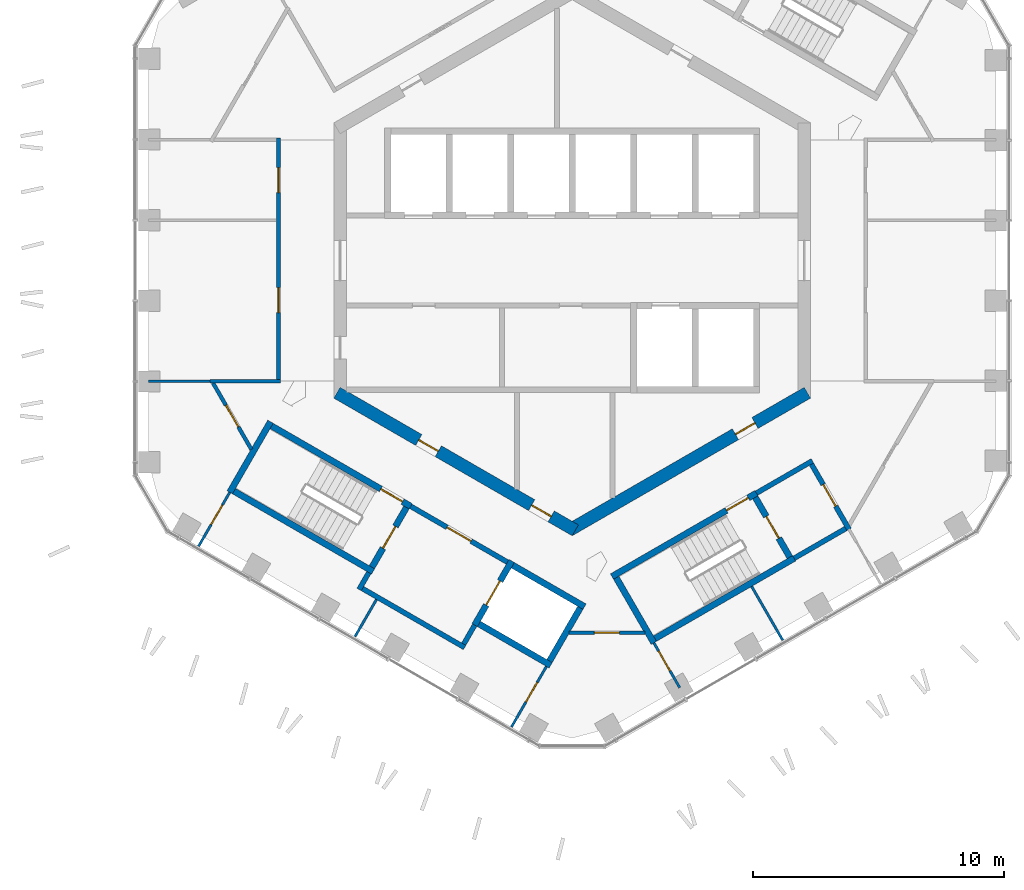
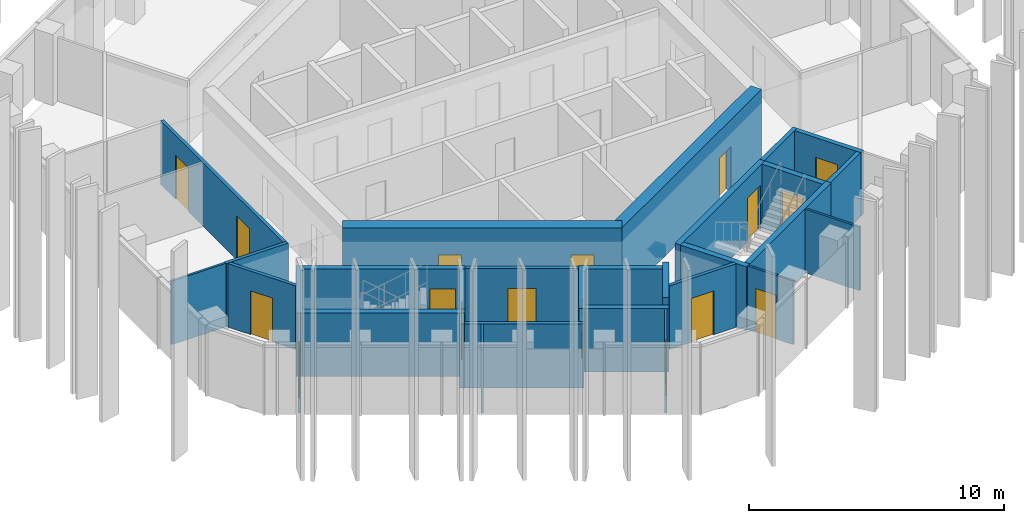
# One storey, part 12 of 18: 31 walls, 17 doors, 17 openings.
"""IFC4 building model written with IfcOpenShell, lengths in metres."""

from ifc_helpers import new_model, si_unit, direction, frame, frame_2d, origin, place, context, subcontext, project, spatial, rectangle, extrude, material, layer, layer_set, type_object, element, fill, save


model = new_model("IFC4")

# Units and contexts
model_context = context("Model", 3, precision=1e-05, world=origin(), true_north=direction((0.0, 1.0)))
body_context = subcontext(model_context, "Body", "Model", "MODEL_VIEW")
ifc_project = project(units=[si_unit("LENGTHUNIT", "METRE"), si_unit("AREAUNIT", "SQUARE_METRE"), si_unit("VOLUMEUNIT", "CUBIC_METRE"), si_unit("PLANEANGLEUNIT", "RADIAN"), si_unit("MASSUNIT", "GRAM", prefix="KILO")], contexts=[model_context])

# Site, building, storey
site_placement = place(None, origin())
site = spatial("IfcSite", under=ifc_project, at=site_placement, CompositionType="ELEMENT")
building_placement = place(site_placement, origin())
building = spatial("IfcBuilding", under=site, at=building_placement, Name="Ayvan Gate Tower", CompositionType="ELEMENT")
storey_placement = place(building_placement, frame((0.0, 0.0, 218.89990234375)))
storey = spatial("IfcBuildingStorey", under=building, at=storey_placement, Name="L58", CompositionType="ELEMENT", Elevation=218.89990234375)

# Wall, openings, doors
ifc_material_1 = material(Name="Concrete C60/75", Category="concrete")
ifc_layer_1 = layer(ifc_material_1, 0.5)
ifc_layer_set_1 = layer_set([ifc_layer_1], Name="Concrete C60/75")
wall_type_1 = type_object("IfcWallType", Name="Core wall 500 C60/75", PredefinedType="SHEAR", material=ifc_layer_set_1)
wall_1_placement = place(storey_placement, frame((-9.375, -5.268310546875, 0.0), z_axis=(0.0, 0.0, 1.0), x_axis=(0.866023993627, -0.500002442456, 0.0)))
wall_1 = element("IfcWall", 1, at=wall_1_placement, inside=storey, type_object=wall_type_1, Name="CORE-L58-4", PredefinedType="SHEAR", context=body_context, shape_type="SweptSolid", body=[
    extrude(rectangle(XDim=10.9697265625, YDim=0.5, at=frame_2d((5.48486328125, 0.0))), origin(), (0.0, 0.0, 1.0), 3.400146484375),
])
opening_1_placement = place(wall_1_placement, frame((3.76513671875, 0.0, 0.0)))
opening_1 = element("IfcOpeningElement", 2, at=opening_1_placement, cuts=wall_1, Name="Opening L58-D40", PredefinedType="OPENING", context=body_context, shape_type="SweptSolid", body=[
    extrude(rectangle(XDim=0.89990234375, YDim=2.10009765625, at=frame_2d((0.449951171875, 1.050048828125))), frame((0.0, 0.260009765625, 0.0), z_axis=(0.0, -1.0, 0.0), x_axis=(1.0, 0.0, 0.0)), (0.0, 0.0, 1.0), 0.52001953125),
])
opening_2_placement = place(wall_1_placement, frame((8.960205078125, 0.0, 0.0)))
opening_2 = element("IfcOpeningElement", 3, at=opening_2_placement, cuts=wall_1, Name="Opening L58-D41", PredefinedType="OPENING", context=body_context, shape_type="SweptSolid", body=[
    extrude(rectangle(XDim=0.89990234375, YDim=2.10009765625, at=frame_2d((0.449951171875, 1.050048828125))), frame((0.0, 0.260009765625, 0.0), z_axis=(0.0, -1.0, 0.0), x_axis=(1.0, 0.0, 0.0)), (0.0, 0.0, 1.0), 0.52001953125),
])
ifc_material_2 = material(Name="Timber door leaf", Category="wood")
door_type_1 = type_object("IfcDoorType", Name="DT-900", OperationType="NOTDEFINED", PredefinedType="DOOR", material=ifc_material_2)
door_1_placement = place(opening_1_placement, origin())
door_1 = element("IfcDoor", 4, at=door_1_placement, inside=storey, type_object=door_type_1, Name="CD-L58-40", OperationType="SINGLE_SWING_RIGHT", OverallHeight=2.10009765625, OverallWidth=0.89990234375, PredefinedType="DOOR", context=body_context, shape_type="SweptSolid", body=[
    extrude(rectangle(XDim=0.89990234375, YDim=2.10009765625, at=frame_2d((0.449951171875, 1.050048828125))), frame((0.0, 0.02490234375, 0.0), z_axis=(0.0, -1.0, 0.0), x_axis=(1.0, 0.0, 0.0)), (0.0, 0.0, 1.0), 0.050048828125),
])
fill(opening_1, door_1)
door_2_placement = place(opening_2_placement, origin())
door_2 = element("IfcDoor", 5, at=door_2_placement, inside=storey, type_object=door_type_1, Name="CD-L58-41", OperationType="SINGLE_SWING_LEFT", OverallHeight=2.10009765625, OverallWidth=0.89990234375, PredefinedType="DOOR", context=body_context, shape_type="SweptSolid", body=[
    extrude(rectangle(XDim=0.89990234375, YDim=2.10009765625, at=frame_2d((0.449951171875, 1.050048828125))), frame((0.0, 0.02490234375, 0.0), z_axis=(0.0, -1.0, 0.0), x_axis=(1.0, 0.0, 0.0)), (0.0, 0.0, 1.0), 0.050048828125),
])
fill(opening_2, door_2)

# Wall, opening, door
wall_2_placement = place(storey_placement, frame((-0.125, -10.753173828125, 0.0), z_axis=(0.0, 0.0, 1.0), x_axis=(0.866023993627, 0.500002442456, 0.0)))
wall_2 = element("IfcWall", 6, at=wall_2_placement, inside=storey, type_object=wall_type_1, Name="CORE-L58-5", PredefinedType="SHEAR", context=body_context, shape_type="SweptSolid", body=[
    extrude(rectangle(XDim=10.9697265625, YDim=0.5, at=frame_2d((5.48486328125, 0.0))), origin(), (0.0, 0.0, 1.0), 3.400146484375),
])
opening_3_placement = place(wall_2_placement, frame((7.6572265625, 0.0, 0.0)))
opening_3 = element("IfcOpeningElement", 7, at=opening_3_placement, cuts=wall_2, Name="Opening L58-D42", PredefinedType="OPENING", context=body_context, shape_type="SweptSolid", body=[
    extrude(rectangle(XDim=0.89990234375, YDim=2.10009765625, at=frame_2d((0.449951171875, 1.050048828125))), frame((0.0, 0.260009765625, 0.0), z_axis=(0.0, -1.0, 0.0), x_axis=(1.0, 0.0, 0.0)), (0.0, 0.0, 1.0), 0.52001953125),
])
door_3_placement = place(opening_3_placement, origin())
door_3 = element("IfcDoor", 8, at=door_3_placement, inside=storey, type_object=door_type_1, Name="CD-L58-42", OperationType="SINGLE_SWING_RIGHT", OverallHeight=2.10009765625, OverallWidth=0.89990234375, PredefinedType="DOOR", context=body_context, shape_type="SweptSolid", body=[
    extrude(rectangle(XDim=0.89990234375, YDim=2.10009765625, at=frame_2d((0.449951171875, 1.050048828125))), frame((0.0, 0.02490234375, 0.0), z_axis=(0.0, -1.0, 0.0), x_axis=(1.0, 0.0, 0.0)), (0.0, 0.0, 1.0), 0.050048828125),
])
fill(opening_3, door_3)

# Wall
ifc_material_3 = material(Name="Plasterboard on steel stud", Category="steel")
ifc_layer_2 = layer(ifc_material_3, 0.14990234375)
ifc_layer_set_2 = layer_set([ifc_layer_2], Name="Plasterboard on steel stud")
wall_type_2 = type_object("IfcWallType", Name="WT-CORR-150", PredefinedType="PARTITIONING", material=ifc_layer_set_2)
wall_3_placement = place(storey_placement, frame((-14.428466796875, -4.810791015625, 0.0), z_axis=(0.0, 0.0, 1.0), x_axis=(1.0, 0.0, 0.0)))
element("IfcWall", 9, at=wall_3_placement, inside=storey, type_object=wall_type_2, Name="IW-L58-002", PredefinedType="PARTITIONING", context=body_context, shape_type="SweptSolid", body=[
    extrude(rectangle(XDim=2.803466796875, YDim=0.14990234375, at=frame_2d((1.40185546875, 0.0))), origin(), (0.0, 0.0, 1.0), 3.050048828125),
])

# Wall, opening, door
wall_4_placement = place(storey_placement, frame((-12.784912109375, -7.527587890625, 0.0), z_axis=(0.0, 0.0, 1.0), x_axis=(-0.499989318644, 0.86603157058, 0.0)))
wall_4 = element("IfcWall", 10, at=wall_4_placement, inside=storey, type_object=wall_type_2, Name="IW-L58-006", PredefinedType="PARTITIONING", context=body_context, shape_type="SweptSolid", body=[
    extrude(rectangle(XDim=3.06201171875, YDim=0.14990234375, at=frame_2d((1.531005859375, 0.0))), origin(), (0.0, 0.0, 1.0), 3.050048828125),
])
opening_4_placement = place(wall_4_placement, frame((1.031005859375, 0.0, 0.0)))
opening_4 = element("IfcOpeningElement", 11, at=opening_4_placement, cuts=wall_4, Name="Opening L58-D30", PredefinedType="OPENING", context=body_context, shape_type="SweptSolid", body=[
    extrude(rectangle(XDim=1.0, YDim=2.10009765625, at=frame_2d((0.5, 1.050048828125))), frame((0.0, 0.0849609375, 0.0), z_axis=(0.0, -1.0, 0.0), x_axis=(1.0, 0.0, 0.0)), (0.0, 0.0, 1.0), 0.169921875),
])
door_type_2 = type_object("IfcDoorType", Name="DT-1000", OperationType="NOTDEFINED", PredefinedType="DOOR", material=ifc_material_2)
door_4_placement = place(opening_4_placement, origin())
door_4 = element("IfcDoor", 12, at=door_4_placement, inside=storey, type_object=door_type_2, Name="ID-L58-030", OperationType="SINGLE_SWING_RIGHT", OverallHeight=2.10009765625, OverallWidth=1.0, PredefinedType="DOOR", context=body_context, shape_type="SweptSolid", body=[
    extrude(rectangle(XDim=1.0, YDim=2.10009765625, at=frame_2d((0.5, 1.050048828125))), frame((0.0, 0.02490234375, 0.0), z_axis=(0.0, -1.0, 0.0), x_axis=(1.0, 0.0, 0.0)), (0.0, 0.0, 1.0), 0.050048828125),
])
fill(opening_4, door_4)

# Wall, openings, doors
wall_5_placement = place(storey_placement, frame((-11.699951171875, -4.73583984375, 0.0), z_axis=(0.0, 0.0, 1.0), x_axis=(0.0, 1.0, 0.0)))
wall_5 = element("IfcWall", 13, at=wall_5_placement, inside=storey, type_object=wall_type_2, Name="IW-L58-009", PredefinedType="PARTITIONING", context=body_context, shape_type="SweptSolid", body=[
    extrude(rectangle(XDim=9.62158203125, YDim=0.14990234375, at=frame_2d((4.810791015625, 0.0))), origin(), (0.0, 0.0, 1.0), 3.050048828125),
])
opening_5_placement = place(wall_5_placement, frame((7.44287109375, 0.0, 0.0)))
opening_5 = element("IfcOpeningElement", 14, at=opening_5_placement, cuts=wall_5, Name="Opening L58-D28", PredefinedType="OPENING", context=body_context, shape_type="SweptSolid", body=[
    extrude(rectangle(XDim=1.0, YDim=2.10009765625, at=frame_2d((0.5, 1.050048828125))), frame((0.0, 0.0849609375, 0.0), z_axis=(0.0, -1.0, 0.0), x_axis=(1.0, 0.0, 0.0)), (0.0, 0.0, 1.0), 0.169921875),
])
opening_6_placement = place(wall_5_placement, frame((2.65478515625, 0.0, 0.0)))
opening_6 = element("IfcOpeningElement", 15, at=opening_6_placement, cuts=wall_5, Name="Opening L58-D29", PredefinedType="OPENING", context=body_context, shape_type="SweptSolid", body=[
    extrude(rectangle(XDim=1.0, YDim=2.10009765625, at=frame_2d((0.5, 1.050048828125))), frame((0.0, 0.0849609375, 0.0), z_axis=(0.0, -1.0, 0.0), x_axis=(1.0, 0.0, 0.0)), (0.0, 0.0, 1.0), 0.169921875),
])
door_5_placement = place(opening_5_placement, origin())
door_5 = element("IfcDoor", 16, at=door_5_placement, inside=storey, type_object=door_type_2, Name="ID-L58-028", OperationType="SINGLE_SWING_RIGHT", OverallHeight=2.10009765625, OverallWidth=1.0, PredefinedType="DOOR", context=body_context, shape_type="SweptSolid", body=[
    extrude(rectangle(XDim=1.0, YDim=2.10009765625, at=frame_2d((0.5, 1.050048828125))), frame((0.0, 0.02490234375, 0.0), z_axis=(0.0, -1.0, 0.0), x_axis=(1.0, 0.0, 0.0)), (0.0, 0.0, 1.0), 0.050048828125),
])
fill(opening_5, door_5)
door_6_placement = place(opening_6_placement, origin())
door_6 = element("IfcDoor", 17, at=door_6_placement, inside=storey, type_object=door_type_2, Name="ID-L58-029", OperationType="SINGLE_SWING_LEFT", OverallHeight=2.10009765625, OverallWidth=1.0, PredefinedType="DOOR", context=body_context, shape_type="SweptSolid", body=[
    extrude(rectangle(XDim=1.0, YDim=2.10009765625, at=frame_2d((0.5, 1.050048828125))), frame((0.0, 0.02490234375, 0.0), z_axis=(0.0, -1.0, 0.0), x_axis=(1.0, 0.0, 0.0)), (0.0, 0.0, 1.0), 0.050048828125),
])
fill(opening_6, door_6)

# Wall, opening, door
wall_6_placement = place(storey_placement, frame((2.89794921875, -14.8359375, 0.0), z_axis=(0.0, 0.0, 1.0), x_axis=(-1.0, 0.0, 0.0)))
wall_6 = element("IfcWall", 18, at=wall_6_placement, inside=storey, type_object=wall_type_2, Name="IW-L58-051", PredefinedType="PARTITIONING", context=body_context, shape_type="SweptSolid", body=[
    extrude(rectangle(XDim=3.024658203125, YDim=0.14990234375, at=frame_2d((1.51220703125, 0.0))), origin(), (0.0, 0.0, 1.0), 3.050048828125),
])
opening_7_placement = place(wall_6_placement, frame((1.01220703125, 0.0, 0.0)))
opening_7 = element("IfcOpeningElement", 19, at=opening_7_placement, cuts=wall_6, Name="Opening L58-D32", PredefinedType="OPENING", context=body_context, shape_type="SweptSolid", body=[
    extrude(rectangle(XDim=1.0, YDim=2.10009765625, at=frame_2d((0.5, 1.050048828125))), frame((0.0, 0.0849609375, 0.0), z_axis=(0.0, -1.0, 0.0), x_axis=(1.0, 0.0, 0.0)), (0.0, 0.0, 1.0), 0.169921875),
])
door_7_placement = place(opening_7_placement, origin())
door_7 = element("IfcDoor", 20, at=door_7_placement, inside=storey, type_object=door_type_2, Name="ID-L58-032", OperationType="SINGLE_SWING_RIGHT", OverallHeight=2.10009765625, OverallWidth=1.0, PredefinedType="DOOR", context=body_context, shape_type="SweptSolid", body=[
    extrude(rectangle(XDim=1.0, YDim=2.10009765625, at=frame_2d((0.5, 1.050048828125))), frame((0.0, 0.02490234375, 0.0), z_axis=(0.0, -1.0, 0.0), x_axis=(1.0, 0.0, 0.0)), (0.0, 0.0, 1.0), 0.050048828125),
])
fill(opening_7, door_7)

# Wall
ifc_layer_3 = layer(ifc_material_3, 0.10009765625)
ifc_layer_set_3 = layer_set([ifc_layer_3], Name="Plasterboard on steel stud")
wall_type_3 = type_object("IfcWallType", Name="WT-PART-100", PredefinedType="PARTITIONING", material=ifc_layer_set_3)
wall_7_placement = place(storey_placement, frame((-14.428466796875, -4.810791015625, 0.0), z_axis=(0.0, 0.0, 1.0), x_axis=(-1.0, 0.0, 0.0)))
element("IfcWall", 21, at=wall_7_placement, inside=storey, type_object=wall_type_3, Name="IW-L58-003", PredefinedType="PARTITIONING", context=body_context, shape_type="SweptSolid", body=[
    extrude(rectangle(XDim=2.458984375, YDim=0.10009765625, at=frame_2d((1.2294921875, 0.0))), origin(), (0.0, 0.0, 1.0), 3.050048828125),
])

# Wall, opening, door
wall_8_placement = place(storey_placement, frame((-13.647705078125, -9.23876953125, 0.0), z_axis=(0.0, 0.0, 1.0), x_axis=(-0.500040114371, -0.866002242503, 0.0)))
wall_8 = element("IfcWall", 22, at=wall_8_placement, inside=storey, type_object=wall_type_3, Name="IW-L58-005", PredefinedType="PARTITIONING", context=body_context, shape_type="SweptSolid", body=[
    extrude(rectangle(XDim=2.483642578125, YDim=0.10009765625, at=frame_2d((1.24169921875, 0.0))), origin(), (0.0, 0.0, 1.0), 3.050048828125),
])
opening_8_placement = place(wall_8_placement, frame((0.581298828125, 0.0, 0.0)))
opening_8 = element("IfcOpeningElement", 23, at=opening_8_placement, cuts=wall_8, Name="Opening L58-D31", PredefinedType="OPENING", context=body_context, shape_type="SweptSolid", body=[
    extrude(rectangle(XDim=0.89990234375, YDim=2.10009765625, at=frame_2d((0.449951171875, 1.050048828125))), frame((0.0, 0.06005859375, 0.0), z_axis=(0.0, -1.0, 0.0), x_axis=(1.0, 0.0, 0.0)), (0.0, 0.0, 1.0), 0.1201171875),
])
door_8_placement = place(opening_8_placement, origin())
door_8 = element("IfcDoor", 24, at=door_8_placement, inside=storey, type_object=door_type_1, Name="ID-L58-031", OperationType="SINGLE_SWING_LEFT", OverallHeight=2.10009765625, OverallWidth=0.89990234375, PredefinedType="DOOR", context=body_context, shape_type="SweptSolid", body=[
    extrude(rectangle(XDim=0.89990234375, YDim=2.10009765625, at=frame_2d((0.449951171875, 1.050048828125))), frame((0.0, 0.02490234375, 0.0), z_axis=(0.0, -1.0, 0.0), x_axis=(1.0, 0.0, 0.0)), (0.0, 0.0, 1.0), 0.050048828125),
])
fill(opening_8, door_8)

# Wall
wall_9_placement = place(storey_placement, frame((-7.800048828125, -13.510009765625, 0.0), z_axis=(0.0, 0.0, 1.0), x_axis=(-0.500027584368, -0.866009477356, 0.0)))
element("IfcWall", 25, at=wall_9_placement, inside=storey, type_object=wall_type_3, Name="IW-L58-018", PredefinedType="PARTITIONING", context=body_context, shape_type="SweptSolid", body=[
    extrude(rectangle(XDim=1.70849609375, YDim=0.10009765625, at=frame_2d((0.854248046875, 0.0))), origin(), (0.0, 0.0, 1.0), 3.050048828125),
])

# Wall, opening, door
wall_10_placement = place(storey_placement, frame((-2.4189453125, -18.589599609375, 0.0), z_axis=(0.0, 0.0, 1.0), x_axis=(0.500016013541, 0.866016158165, 0.0)))
wall_10 = element("IfcWall", 26, at=wall_10_placement, inside=storey, type_object=wall_type_3, Name="IW-L58-034", PredefinedType="PARTITIONING", context=body_context, shape_type="SweptSolid", body=[
    extrude(rectangle(XDim=2.78369140625, YDim=0.10009765625, at=frame_2d((1.391845703125, 0.0))), origin(), (0.0, 0.0, 1.0), 3.050048828125),
])
opening_9_placement = place(wall_10_placement, frame((1.15234375, 0.0, 0.0)))
opening_9 = element("IfcOpeningElement", 27, at=opening_9_placement, cuts=wall_10, Name="Opening L58-D33", PredefinedType="OPENING", context=body_context, shape_type="SweptSolid", body=[
    extrude(rectangle(XDim=0.89990234375, YDim=2.10009765625, at=frame_2d((0.449951171875, 1.050048828125))), frame((0.0, 0.06005859375, 0.0), z_axis=(0.0, -1.0, 0.0), x_axis=(1.0, 0.0, 0.0)), (0.0, 0.0, 1.0), 0.1201171875),
])
door_9_placement = place(opening_9_placement, origin())
door_9 = element("IfcDoor", 28, at=door_9_placement, inside=storey, type_object=door_type_1, Name="ID-L58-033", OperationType="SINGLE_SWING_LEFT", OverallHeight=2.10009765625, OverallWidth=0.89990234375, PredefinedType="DOOR", context=body_context, shape_type="SweptSolid", body=[
    extrude(rectangle(XDim=0.89990234375, YDim=2.10009765625, at=frame_2d((0.449951171875, 1.050048828125))), frame((0.0, 0.02490234375, 0.0), z_axis=(0.0, -1.0, 0.0), x_axis=(1.0, 0.0, 0.0)), (0.0, 0.0, 1.0), 0.050048828125),
])
fill(opening_9, door_9)

wall_11_placement = place(storey_placement, frame((3.255615234375, -15.23876953125, 0.0), z_axis=(0.0, 0.0, 1.0), x_axis=(0.500009360108, -0.866019999656, 0.0)))
wall_11 = element("IfcWall", 29, at=wall_11_placement, inside=storey, type_object=wall_type_3, Name="IW-L58-053", PredefinedType="PARTITIONING", context=body_context, shape_type="SweptSolid", body=[
    extrude(rectangle(XDim=2.0625, YDim=0.10009765625, at=frame_2d((1.03125, 0.0))), origin(), (0.0, 0.0, 1.0), 3.050048828125),
])
opening_10_placement = place(wall_11_placement, frame((0.38134765625, 0.0, 0.0)))
opening_10 = element("IfcOpeningElement", 30, at=opening_10_placement, cuts=wall_11, Name="Opening L58-D34", PredefinedType="OPENING", context=body_context, shape_type="SweptSolid", body=[
    extrude(rectangle(XDim=0.89990234375, YDim=2.10009765625, at=frame_2d((0.449951171875, 1.050048828125))), frame((0.0, 0.06005859375, 0.0), z_axis=(0.0, -1.0, 0.0), x_axis=(1.0, 0.0, 0.0)), (0.0, 0.0, 1.0), 0.1201171875),
])
door_10_placement = place(opening_10_placement, origin())
door_10 = element("IfcDoor", 31, at=door_10_placement, inside=storey, type_object=door_type_1, Name="ID-L58-034", OperationType="SINGLE_SWING_RIGHT", OverallHeight=2.10009765625, OverallWidth=0.89990234375, PredefinedType="DOOR", context=body_context, shape_type="SweptSolid", body=[
    extrude(rectangle(XDim=0.89990234375, YDim=2.10009765625, at=frame_2d((0.449951171875, 1.050048828125))), frame((0.0, 0.02490234375, 0.0), z_axis=(0.0, -1.0, 0.0), x_axis=(1.0, 0.0, 0.0)), (0.0, 0.0, 1.0), 0.050048828125),
])
fill(opening_10, door_10)

# Walls
wall_12_placement = place(storey_placement, frame((7.152587890625, -12.98876953125, 0.0), z_axis=(0.0, 0.0, 1.0), x_axis=(0.499966389646, -0.866044807862, 0.0)))
element("IfcWall", 32, at=wall_12_placement, inside=storey, type_object=wall_type_3, Name="IW-L58-062", PredefinedType="PARTITIONING", context=body_context, shape_type="SweptSolid", body=[
    extrude(rectangle(XDim=2.483642578125, YDim=0.10009765625, at=frame_2d((1.24169921875, 0.0))), origin(), (0.0, 0.0, 1.0), 3.050048828125),
])
ifc_layer_4 = layer(ifc_material_3, 0.199951171875)
ifc_layer_set_4 = layer_set([ifc_layer_4], Name="Plasterboard on steel stud")
wall_type_4 = type_object("IfcWallType", Name="WT-RATED-200", PredefinedType="PARTITIONING", material=ifc_layer_set_4)
wall_13_placement = place(storey_placement, frame((-8.492919921875, -13.110107421875, 0.0), z_axis=(0.0, 0.0, 1.0), x_axis=(0.500067724834, 0.865986299303, 0.0)))
element("IfcWall", 33, at=wall_13_placement, inside=storey, type_object=wall_type_4, Name="IW-L58-016", PredefinedType="PARTITIONING", context=body_context, shape_type="SweptSolid", body=[
    extrude(rectangle(XDim=0.775390625, YDim=0.199951171875, at=frame_2d((0.3876953125, 0.0))), origin(), (0.0, 0.0, 1.0), 3.050048828125),
])
wall_14_placement = place(storey_placement, frame((-8.356201171875, -13.073486328125, 0.0), z_axis=(0.0, 0.0, 1.0), x_axis=(0.866038532462, -0.499977259774, 0.0)))
element("IfcWall", 34, at=wall_14_placement, inside=storey, type_object=wall_type_4, Name="IW-L58-019", PredefinedType="PARTITIONING", context=body_context, shape_type="SweptSolid", body=[
    extrude(rectangle(XDim=4.699951171875, YDim=0.199951171875, at=frame_2d((2.35009765625, 0.0))), origin(), (0.0, 0.0, 1.0), 3.050048828125),
])

# Wall, opening, door
wall_15_placement = place(storey_placement, frame((-6.4345703125, -9.794921875, 0.0), z_axis=(0.0, 0.0, 1.0), x_axis=(0.866012907634, -0.500021643343, 0.0)))
wall_15 = element("IfcWall", 35, at=wall_15_placement, inside=storey, type_object=wall_type_4, Name="IW-L58-024", PredefinedType="PARTITIONING", context=body_context, shape_type="SweptSolid", body=[
    extrude(rectangle(XDim=4.449951171875, YDim=0.199951171875, at=frame_2d((2.22509765625, 0.0))), origin(), (0.0, 0.0, 1.0), 3.050048828125),
])
opening_11_placement = place(wall_15_placement, frame((1.675048828125, 0.0, 0.0)))
opening_11 = element("IfcOpeningElement", 36, at=opening_11_placement, cuts=wall_15, Name="Opening L58-D16", PredefinedType="OPENING", context=body_context, shape_type="SweptSolid", body=[
    extrude(rectangle(XDim=1.10009765625, YDim=2.10009765625, at=frame_2d((0.550048828125, 1.050048828125))), frame((0.0, 0.10986328125, 0.0), z_axis=(0.0, -1.0, 0.0), x_axis=(1.0, 0.0, 0.0)), (0.0, 0.0, 1.0), 0.219970703125),
])
door_type_3 = type_object("IfcDoorType", Name="DT-1100", OperationType="NOTDEFINED", PredefinedType="DOOR", material=ifc_material_2)
door_11_placement = place(opening_11_placement, origin())
door_11 = element("IfcDoor", 37, at=door_11_placement, inside=storey, type_object=door_type_3, Name="ID-L58-016", OperationType="SINGLE_SWING_RIGHT", OverallHeight=2.10009765625, OverallWidth=1.10009765625, PredefinedType="DOOR", context=body_context, shape_type="SweptSolid", body=[
    extrude(rectangle(XDim=1.10009765625, YDim=2.10009765625, at=frame_2d((0.550048828125, 1.050048828125))), frame((0.0, 0.02490234375, 0.0), z_axis=(0.0, -1.0, 0.0), x_axis=(1.0, 0.0, 0.0)), (0.0, 0.0, 1.0), 0.050048828125),
])
fill(opening_11, door_11)

# Walls
wall_16_placement = place(storey_placement, frame((-3.885009765625, -14.52880859375, 0.0), z_axis=(0.0, 0.0, 1.0), x_axis=(-0.499859285417, -0.866106630146, 0.0)))
element("IfcWall", 38, at=wall_16_placement, inside=storey, type_object=wall_type_4, Name="IW-L58-026", PredefinedType="PARTITIONING", context=body_context, shape_type="SweptSolid", body=[
    extrude(rectangle(XDim=0.875244140625, YDim=0.199951171875, at=frame_2d((0.4375, 0.0))), origin(), (0.0, 0.0, 1.0), 3.050048828125),
])
wall_17_placement = place(storey_placement, frame((7.343994140625, -9.27001953125, 0.0), z_axis=(0.0, 0.0, 1.0), x_axis=(0.866005588531, 0.500034319456, 0.0)))
element("IfcWall", 39, at=wall_17_placement, inside=storey, type_object=wall_type_4, Name="IW-L58-065", PredefinedType="PARTITIONING", context=body_context, shape_type="SweptSolid", body=[
    extrude(rectangle(XDim=2.574951171875, YDim=0.199951171875, at=frame_2d((1.28759765625, 0.0))), origin(), (0.0, 0.0, 1.0), 3.050048828125),
])

# Wall, opening, door
wall_18_placement = place(storey_placement, frame((9.537353515625, -8.119140625, 0.0), z_axis=(0.0, 0.0, 1.0), x_axis=(0.499990139034, -0.866031096941, 0.0)))
wall_18 = element("IfcWall", 40, at=wall_18_placement, inside=storey, type_object=wall_type_4, Name="IW-L58-073", PredefinedType="PARTITIONING", context=body_context, shape_type="SweptSolid", body=[
    extrude(rectangle(XDim=3.0, YDim=0.199951171875, at=frame_2d((1.5, 0.0))), origin(), (0.0, 0.0, 1.0), 3.050048828125),
])
opening_12_placement = place(wall_18_placement, frame((0.93505859375, 0.0, 0.0)))
opening_12 = element("IfcOpeningElement", 41, at=opening_12_placement, cuts=wall_18, Name="Opening L58-D19", PredefinedType="OPENING", context=body_context, shape_type="SweptSolid", body=[
    extrude(rectangle(XDim=1.0, YDim=2.10009765625, at=frame_2d((0.5, 1.050048828125))), frame((0.0, 0.10986328125, 0.0), z_axis=(0.0, -1.0, 0.0), x_axis=(1.0, 0.0, 0.0)), (0.0, 0.0, 1.0), 0.219970703125),
])
door_12_placement = place(opening_12_placement, origin())
door_12 = element("IfcDoor", 42, at=door_12_placement, inside=storey, type_object=door_type_2, Name="ID-L58-019", OperationType="SINGLE_SWING_LEFT", OverallHeight=2.10009765625, OverallWidth=1.0, PredefinedType="DOOR", context=body_context, shape_type="SweptSolid", body=[
    extrude(rectangle(XDim=1.0, YDim=2.10009765625, at=frame_2d((0.5, 1.050048828125))), frame((0.0, 0.02490234375, 0.0), z_axis=(0.0, -1.0, 0.0), x_axis=(1.0, 0.0, 0.0)), (0.0, 0.0, 1.0), 0.050048828125),
])
fill(opening_12, door_12)

# Walls
wall_19_placement = place(storey_placement, frame((10.900634765625, -10.6806640625, 0.0), z_axis=(0.0, 0.0, 1.0), x_axis=(-0.866007538022, -0.500030943131, 0.0)))
element("IfcWall", 43, at=wall_19_placement, inside=storey, type_object=wall_type_4, Name="IW-L58-074", PredefinedType="PARTITIONING", context=body_context, shape_type="SweptSolid", body=[
    extrude(rectangle(XDim=2.374755859375, YDim=0.199951171875, at=frame_2d((1.1875, 0.0))), origin(), (0.0, 0.0, 1.0), 3.050048828125),
])
ifc_material_4 = material(Name="Concrete C50/60", Category="concrete")
ifc_layer_5 = layer(ifc_material_4, 0.25)
ifc_layer_set_5 = layer_set([ifc_layer_5], Name="Concrete C50/60")
wall_type_5 = type_object("IfcWallType", Name="WT-RC-250", PredefinedType="SHEAR", material=ifc_layer_set_5)
wall_20_placement = place(storey_placement, frame((-13.64794921875, -9.23876953125, 0.0), z_axis=(0.0, 0.0, 1.0), x_axis=(0.500017246033, 0.866015446554, 0.0)))
element("IfcWall", 44, at=wall_20_placement, inside=storey, type_object=wall_type_5, Name="IW-L58-004", PredefinedType="SHEAR", context=body_context, shape_type="SweptSolid", body=[
    extrude(rectangle(XDim=3.25, YDim=0.25, at=frame_2d((1.625, 0.0))), origin(), (0.0, 0.0, 1.0), 3.050048828125),
])

# Wall, opening, door
wall_21_placement = place(storey_placement, frame((-11.97705078125, -6.594970703125, 0.0), z_axis=(0.0, 0.0, 1.0), x_axis=(0.866025499775, -0.499999833739, 0.0)))
wall_21 = element("IfcWall", 45, at=wall_21_placement, inside=storey, type_object=wall_type_5, Name="IW-L58-008", PredefinedType="SHEAR", context=body_context, shape_type="SweptSolid", body=[
    extrude(rectangle(XDim=6.39990234375, YDim=0.25, at=frame_2d((3.199951171875, 0.0))), origin(), (0.0, 0.0, 1.0), 3.050048828125),
])
opening_13_placement = place(wall_21_placement, frame((5.02490234375, 0.0, 0.0)))
opening_13 = element("IfcOpeningElement", 46, at=opening_13_placement, cuts=wall_21, Name="Opening L58-D14", PredefinedType="OPENING", context=body_context, shape_type="SweptSolid", body=[
    extrude(rectangle(XDim=1.0, YDim=2.10009765625, at=frame_2d((0.5, 1.050048828125))), frame((0.0, 0.135009765625, 0.0), z_axis=(0.0, -1.0, 0.0), x_axis=(1.0, 0.0, 0.0)), (0.0, 0.0, 1.0), 0.27001953125),
])
door_13_placement = place(opening_13_placement, origin())
door_13 = element("IfcDoor", 47, at=door_13_placement, inside=storey, type_object=door_type_2, Name="ID-L58-014", OperationType="SINGLE_SWING_RIGHT", OverallHeight=2.10009765625, OverallWidth=1.0, PredefinedType="DOOR", context=body_context, shape_type="SweptSolid", body=[
    extrude(rectangle(XDim=1.0, YDim=2.10009765625, at=frame_2d((0.5, 1.050048828125))), frame((0.0, 0.02490234375, 0.0), z_axis=(0.0, -1.0, 0.0), x_axis=(1.0, 0.0, 0.0)), (0.0, 0.0, 1.0), 0.050048828125),
])
fill(opening_13, door_13)

# Wall
wall_22_placement = place(storey_placement, frame((-7.9345703125, -12.39306640625, 0.0), z_axis=(0.0, 0.0, 1.0), x_axis=(-0.866025499775, 0.499999833739, 0.0)))
element("IfcWall", 48, at=wall_22_placement, inside=storey, type_object=wall_type_5, Name="IW-L58-017", PredefinedType="SHEAR", context=body_context, shape_type="SweptSolid", body=[
    extrude(rectangle(XDim=6.39990234375, YDim=0.25, at=frame_2d((3.199951171875, 0.0))), origin(), (0.0, 0.0, 1.0), 3.050048828125),
])

# Wall, opening, door
wall_23_placement = place(storey_placement, frame((-6.605224609375, -9.8408203125, 0.0), z_axis=(0.0, 0.0, 1.0), x_axis=(-0.499996545922, -0.866027397988, 0.0)))
wall_23 = element("IfcWall", 49, at=wall_23_placement, inside=storey, type_object=wall_type_5, Name="IW-L58-023", PredefinedType="SHEAR", context=body_context, shape_type="SweptSolid", body=[
    extrude(rectangle(XDim=2.75, YDim=0.25, at=frame_2d((1.375, 0.0))), origin(), (0.0, 0.0, 1.0), 3.050048828125),
])
opening_14_placement = place(wall_23_placement, frame((0.875, 0.0, 0.0)))
opening_14 = element("IfcOpeningElement", 50, at=opening_14_placement, cuts=wall_23, Name="Opening L58-D15", PredefinedType="OPENING", context=body_context, shape_type="SweptSolid", body=[
    extrude(rectangle(XDim=1.0, YDim=2.10009765625, at=frame_2d((0.5, 1.050048828125))), frame((0.0, 0.135009765625, 0.0), z_axis=(0.0, -1.0, 0.0), x_axis=(1.0, 0.0, 0.0)), (0.0, 0.0, 1.0), 0.27001953125),
])
door_14_placement = place(opening_14_placement, origin())
door_14 = element("IfcDoor", 51, at=door_14_placement, inside=storey, type_object=door_type_2, Name="ID-L58-015", OperationType="SINGLE_SWING_LEFT", OverallHeight=2.10009765625, OverallWidth=1.0, PredefinedType="DOOR", context=body_context, shape_type="SweptSolid", body=[
    extrude(rectangle(XDim=1.0, YDim=2.10009765625, at=frame_2d((0.5, 1.050048828125))), frame((0.0, 0.02490234375, 0.0), z_axis=(0.0, -1.0, 0.0), x_axis=(1.0, 0.0, 0.0)), (0.0, 0.0, 1.0), 0.050048828125),
])
fill(opening_14, door_14)

wall_24_placement = place(storey_placement, frame((-2.409912109375, -11.97412109375, 0.0), z_axis=(0.0, 0.0, 1.0), x_axis=(-0.500001826776, -0.866024349092, 0.0)))
wall_24 = element("IfcWall", 52, at=wall_24_placement, inside=storey, type_object=wall_type_5, Name="IW-L58-031", PredefinedType="SHEAR", context=body_context, shape_type="SweptSolid", body=[
    extrude(rectangle(XDim=2.9501953125, YDim=0.25, at=frame_2d((1.47509765625, 0.0))), origin(), (0.0, 0.0, 1.0), 3.050048828125),
])
opening_15_placement = place(wall_24_placement, frame((0.925048828125, 0.0, 0.0)))
opening_15 = element("IfcOpeningElement", 53, at=opening_15_placement, cuts=wall_24, Name="Opening L58-LD-FF2", PredefinedType="OPENING", context=body_context, shape_type="SweptSolid", body=[
    extrude(rectangle(XDim=1.10009765625, YDim=2.10009765625, at=frame_2d((0.550048828125, 1.050048828125))), frame((0.0, 0.135009765625, 0.0), z_axis=(0.0, -1.0, 0.0), x_axis=(1.0, 0.0, 0.0)), (0.0, 0.0, 1.0), 0.27001953125),
])
ifc_material_5 = material(Name="Stainless steel landing door", Category="steel")
door_type_4 = type_object("IfcDoorType", Name="DT-LANDING-1100", OperationType="SLIDING_TO_LEFT", PredefinedType="DOOR", material=ifc_material_5)
door_15_placement = place(opening_15_placement, origin())
door_15 = element("IfcDoor", 54, at=door_15_placement, inside=storey, type_object=door_type_4, Name="ID-L58-017", OperationType="SLIDING_TO_LEFT", OverallHeight=2.10009765625, OverallWidth=1.10009765625, PredefinedType="DOOR", context=body_context, shape_type="SweptSolid", body=[
    extrude(rectangle(XDim=1.10009765625, YDim=2.10009765625, at=frame_2d((0.550048828125, 1.050048828125))), frame((0.0, 0.02490234375, 0.0), z_axis=(0.0, -1.0, 0.0), x_axis=(1.0, 0.0, 0.0)), (0.0, 0.0, 1.0), 0.050048828125),
])
fill(opening_15, door_15)

# Walls
wall_25_placement = place(storey_placement, frame((-2.3642578125, -12.14501953125, 0.0), z_axis=(0.0, 0.0, 1.0), x_axis=(0.866040211805, -0.499974350878, 0.0)))
element("IfcWall", 55, at=wall_25_placement, inside=storey, type_object=wall_type_5, Name="IW-L58-032", PredefinedType="SHEAR", context=body_context, shape_type="SweptSolid", body=[
    extrude(rectangle(XDim=3.300048828125, YDim=0.25, at=frame_2d((1.64990234375, 0.0))), origin(), (0.0, 0.0, 1.0), 3.050048828125),
])
wall_26_placement = place(storey_placement, frame((-0.8564453125, -16.13330078125, 0.0), z_axis=(0.0, 0.0, 1.0), x_axis=(-0.866021716278, 0.500006386895, 0.0)))
element("IfcWall", 56, at=wall_26_placement, inside=storey, type_object=wall_type_5, Name="IW-L58-038", PredefinedType="SHEAR", context=body_context, shape_type="SweptSolid", body=[
    extrude(rectangle(XDim=3.2998046875, YDim=0.25, at=frame_2d((1.64990234375, 0.0))), origin(), (0.0, 0.0, 1.0), 3.050048828125),
])
wall_27_placement = place(storey_placement, frame((-0.902099609375, -15.96240234375, 0.0), z_axis=(0.0, 0.0, 1.0), x_axis=(0.500061746146, 0.865989751695, 0.0)))
element("IfcWall", 57, at=wall_27_placement, inside=storey, type_object=wall_type_5, Name="IW-L58-041", PredefinedType="SHEAR", context=body_context, shape_type="SweptSolid", body=[
    extrude(rectangle(XDim=2.449951171875, YDim=0.25, at=frame_2d((1.22509765625, 0.0))), origin(), (0.0, 0.0, 1.0), 3.400146484375),
])

# Wall, opening, door
wall_28_placement = place(storey_placement, frame((1.584716796875, -12.594970703125, 0.0), z_axis=(0.0, 0.0, 1.0), x_axis=(0.866036417653, 0.499980922934, 0.0)))
wall_28 = element("IfcWall", 58, at=wall_28_placement, inside=storey, type_object=wall_type_5, Name="IW-L58-045", PredefinedType="SHEAR", context=body_context, shape_type="SweptSolid", body=[
    extrude(rectangle(XDim=6.650146484375, YDim=0.25, at=frame_2d((3.3251953125, 0.0))), origin(), (0.0, 0.0, 1.0), 3.050048828125),
])
opening_16_placement = place(wall_28_placement, frame((5.27490234375, 0.0, 0.0)))
opening_16 = element("IfcOpeningElement", 59, at=opening_16_placement, cuts=wall_28, Name="Opening L58-D18", PredefinedType="OPENING", context=body_context, shape_type="SweptSolid", body=[
    extrude(rectangle(XDim=1.0, YDim=2.10009765625, at=frame_2d((0.5, 1.050048828125))), frame((0.0, 0.135009765625, 0.0), z_axis=(0.0, -1.0, 0.0), x_axis=(1.0, 0.0, 0.0)), (0.0, 0.0, 1.0), 0.27001953125),
])
door_16_placement = place(opening_16_placement, origin())
door_16 = element("IfcDoor", 60, at=door_16_placement, inside=storey, type_object=door_type_2, Name="ID-L58-018", OperationType="SINGLE_SWING_RIGHT", OverallHeight=2.10009765625, OverallWidth=1.0, PredefinedType="DOOR", context=body_context, shape_type="SweptSolid", body=[
    extrude(rectangle(XDim=1.0, YDim=2.10009765625, at=frame_2d((0.5, 1.050048828125))), frame((0.0, 0.02490234375, 0.0), z_axis=(0.0, -1.0, 0.0), x_axis=(1.0, 0.0, 0.0)), (0.0, 0.0, 1.0), 0.050048828125),
])
fill(opening_16, door_16)

# Walls
wall_29_placement = place(storey_placement, frame((1.755615234375, -12.640869140625, 0.0), z_axis=(0.0, 0.0, 1.0), x_axis=(0.50002537861, -0.866010750942, 0.0)))
element("IfcWall", 61, at=wall_29_placement, inside=storey, type_object=wall_type_5, Name="IW-L58-052", PredefinedType="SHEAR", context=body_context, shape_type="SweptSolid", body=[
    extrude(rectangle(XDim=2.999755859375, YDim=0.25, at=frame_2d((1.5, 0.0))), origin(), (0.0, 0.0, 1.0), 3.050048828125),
])
wall_30_placement = place(storey_placement, frame((3.30126953125, -15.068115234375, 0.0), z_axis=(0.0, 0.0, 1.0), x_axis=(0.866035036182, 0.499983315828, 0.0)))
element("IfcWall", 62, at=wall_30_placement, inside=storey, type_object=wall_type_5, Name="IW-L58-063", PredefinedType="SHEAR", context=body_context, shape_type="SweptSolid", body=[
    extrude(rectangle(XDim=6.400146484375, YDim=0.25, at=frame_2d((3.2001953125, 0.0))), origin(), (0.0, 0.0, 1.0), 3.050048828125),
])

# Wall, opening, door
wall_31_placement = place(storey_placement, frame((7.298095703125, -9.44091796875, 0.0), z_axis=(0.0, 0.0, 1.0), x_axis=(0.500034990121, -0.866005201286, 0.0)))
wall_31 = element("IfcWall", 63, at=wall_31_placement, inside=storey, type_object=wall_type_5, Name="IW-L58-064", PredefinedType="SHEAR", context=body_context, shape_type="SweptSolid", body=[
    extrude(rectangle(XDim=2.749755859375, YDim=0.25, at=frame_2d((1.375, 0.0))), origin(), (0.0, 0.0, 1.0), 3.050048828125),
])
opening_17_placement = place(wall_31_placement, frame((0.875, 0.0, 0.0)))
opening_17 = element("IfcOpeningElement", 64, at=opening_17_placement, cuts=wall_31, Name="Opening L58-D20", PredefinedType="OPENING", context=body_context, shape_type="SweptSolid", body=[
    extrude(rectangle(XDim=1.0, YDim=2.10009765625, at=frame_2d((0.5, 1.050048828125))), frame((0.0, 0.135009765625, 0.0), z_axis=(0.0, -1.0, 0.0), x_axis=(1.0, 0.0, 0.0)), (0.0, 0.0, 1.0), 0.27001953125),
])
door_17_placement = place(opening_17_placement, origin())
door_17 = element("IfcDoor", 65, at=door_17_placement, inside=storey, type_object=door_type_2, Name="ID-L58-020", OperationType="SINGLE_SWING_RIGHT", OverallHeight=2.10009765625, OverallWidth=1.0, PredefinedType="DOOR", context=body_context, shape_type="SweptSolid", body=[
    extrude(rectangle(XDim=1.0, YDim=2.10009765625, at=frame_2d((0.5, 1.050048828125))), frame((0.0, 0.02490234375, 0.0), z_axis=(0.0, -1.0, 0.0), x_axis=(1.0, 0.0, 0.0)), (0.0, 0.0, 1.0), 0.050048828125),
])
fill(opening_17, door_17)

save(model, "model.ifc")
